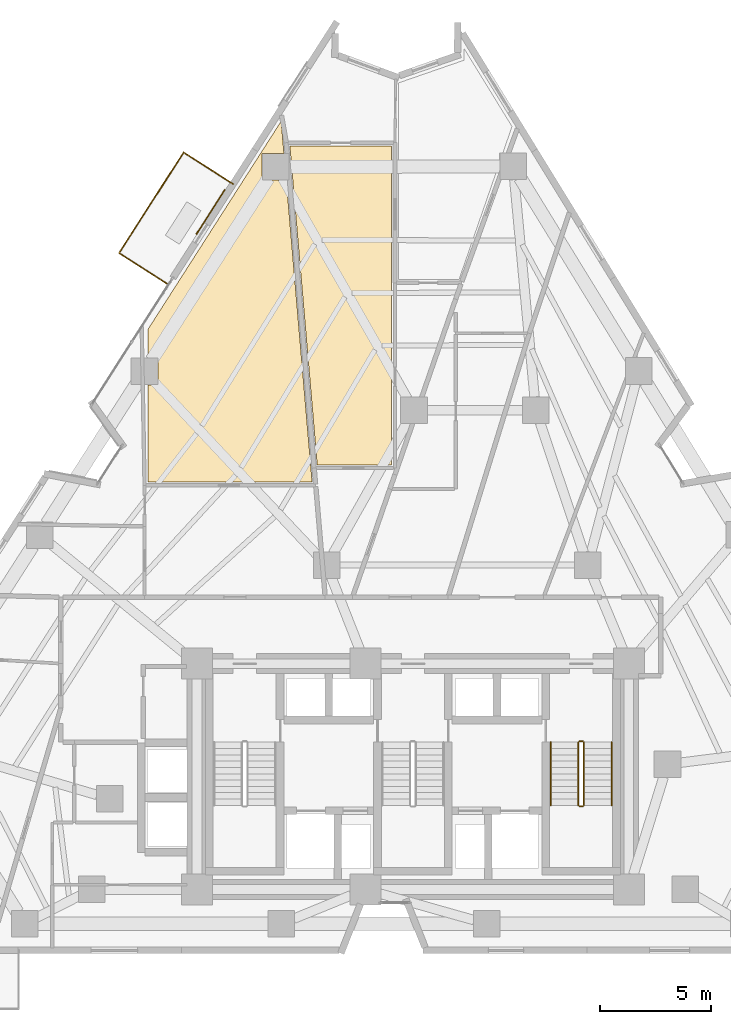
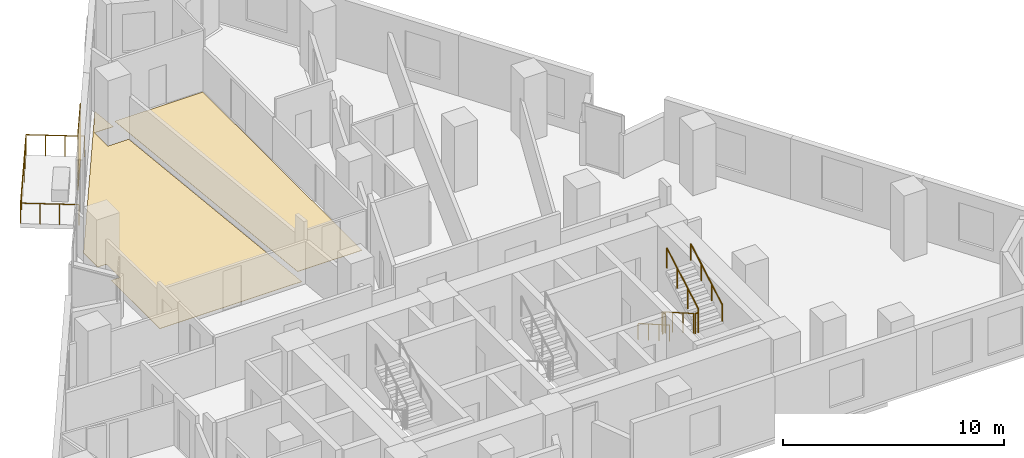
# One storey, part 12 of 13: 7 railings, 3 coverings.
"""IFC4 building model written with IfcOpenShell, lengths in metres."""

import ifcopenshell
import ifcopenshell.guid

model = None  # the IFC model being written
_history = None  # IfcOwnerHistory: only IFC2X3 demands one
_inside = {}  # id of a spatial element -> (the spatial element, [elements in it])
_under = {}  # id of a project, library or spatial element -> (it, [spatial elements below it])
_declared = {}  # id of a project -> (the project, [libraries it declares])
_typed = {}  # id of a type object -> (the type object, [elements of that type])
_made_of = {}  # id of a material, layer set ... -> (it, [elements and type objects made of it])


def new_model(schema):
    """Start an empty IFC model of exactly this schema.

    Asked for "IFC4X3", IfcOpenShell would pick the latest addendum, in which some entities
    have other attributes; the version numbers below select the first issue.
    IFC2X3 requires an IfcOwnerHistory on every rooted entity: one is made here for all.
    """
    global model, _history
    if schema == "IFC4X3":
        model = ifcopenshell.file(schema_version=(4, 3, 0, 0))
    else:
        model = ifcopenshell.file(schema=schema)
    _inside.clear()
    _under.clear()
    _declared.clear()
    _typed.clear()
    _made_of.clear()
    _history = None
    if model.schema == "IFC2X3":
        org = make("IfcOrganization", Name="unknown")
        user = make(
            "IfcPersonAndOrganization",
            ThePerson=make("IfcPerson", FamilyName="unknown"),
            TheOrganization=org,
        )
        app = make(
            "IfcApplication",
            ApplicationDeveloper=org,
            Version="unknown",
            ApplicationFullName="unknown",
            ApplicationIdentifier="unknown",
        )
        _history = make(
            "IfcOwnerHistory",
            OwningUser=user,
            OwningApplication=app,
            ChangeAction="ADDED",
            CreationDate=0,
        )
    return model


def make(cls, **values):
    """One entity of the class cls with the attributes given. An attribute that is None is left unset."""
    return model.create_entity(
        cls, **{name: value for name, value in values.items() if value is not None}
    )


def rooted(cls, **values):
    """An entity with a GlobalId (a new one), such as an element, a storey or a relation."""
    return make(cls, GlobalId=ifcopenshell.guid.new(), OwnerHistory=_history, **values)


def si_unit(unit_type, name, prefix=None):
    """IfcSIUnit, for example si_unit("LENGTHUNIT", "METRE", prefix="MILLI")."""
    return make("IfcSIUnit", UnitType=unit_type, Prefix=prefix, Name=name)


def assignment(units):
    """IfcUnitAssignment: the units of a project."""
    return None if units is None else make("IfcUnitAssignment", Units=units)


def point(xyz):
    """IfcCartesianPoint."""
    return None if xyz is None else make("IfcCartesianPoint", Coordinates=xyz)


def direction(xyz):
    """IfcDirection."""
    return None if xyz is None else make("IfcDirection", DirectionRatios=xyz)


def frame(location, z_axis=None, x_axis=None):
    """IfcAxis2Placement3D, a coordinate frame: its origin and axes. An axis left out is left unset."""
    return make(
        "IfcAxis2Placement3D",
        Location=point(location),
        Axis=direction(z_axis),
        RefDirection=direction(x_axis),
    )


def frame_2d(location, x_axis=None):
    """IfcAxis2Placement2D, a coordinate frame in the plane: its origin and x axis."""
    return make(
        "IfcAxis2Placement2D", Location=point(location), RefDirection=direction(x_axis)
    )


def origin():
    """The frame at (0, 0, 0) with its axes left unset."""
    return frame((0.0, 0.0, 0.0))


def origin_2d():
    """The frame at (0, 0) in the plane with its x axis left unset."""
    return frame_2d((0.0, 0.0))


def place(relative_to, where):
    """IfcLocalPlacement: puts the frame where relative to a parent placement (None: the world)."""
    return make(
        "IfcLocalPlacement", PlacementRelTo=relative_to, RelativePlacement=where
    )


def context(
    kind, dimensions, precision=None, world=None, true_north=None, identifier=None
):
    """IfcGeometricRepresentationContext, for example the 3D "Model" context."""
    return make(
        "IfcGeometricRepresentationContext",
        ContextIdentifier=identifier,
        ContextType=kind,
        CoordinateSpaceDimension=dimensions,
        Precision=precision,
        WorldCoordinateSystem=world,
        TrueNorth=true_north,
    )


def subcontext(parent, identifier, kind, view, scale=None):
    """IfcGeometricRepresentationSubContext, for example "Body" below "Model"."""
    return make(
        "IfcGeometricRepresentationSubContext",
        ContextIdentifier=identifier,
        ContextType=kind,
        ParentContext=parent,
        TargetScale=scale,
        TargetView=view,
    )


def project(units=None, contexts=None):
    """IfcProject with its units and contexts."""
    return rooted(
        "IfcProject",
        Name="project",
        RepresentationContexts=contexts,
        UnitsInContext=assignment(units),
    )


def spatial(cls, under=None, at=None, **own):
    """A site, building, storey or space (cls), placed at a placement, below another one or the project."""
    s = rooted(cls, ObjectPlacement=at, **own)
    if under is not None:
        _under.setdefault(under.id(), (under, []))[1].append(s)
    return s


def polyline(points):
    """IfcPolyline through the points."""
    return make("IfcPolyline", Points=[point(p) for p in points])


def profile(cls, at=None, kind="AREA", **sizes):
    """A parametric profile (cls). Its sizes go by their IFC names, for example OverallWidth=200.0."""
    return make(cls, ProfileType=kind, Position=at, **sizes)


def rectangle(**sizes):
    """IfcRectangleProfileDef."""
    return profile("IfcRectangleProfileDef", **sizes)


def circle(**sizes):
    """IfcCircleProfileDef."""
    return profile("IfcCircleProfileDef", **sizes)


def outline(outer, holes=None, kind="AREA"):
    """IfcArbitraryClosedProfileDef: a profile drawn as a closed curve; with holes, ...WithVoids."""
    if holes is None:
        return make("IfcArbitraryClosedProfileDef", ProfileType=kind, OuterCurve=outer)
    return make(
        "IfcArbitraryProfileDefWithVoids",
        ProfileType=kind,
        OuterCurve=outer,
        InnerCurves=holes,
    )


def extrude(swept, where, along, depth):
    """IfcExtrudedAreaSolid: the profile swept, set in the frame where, extruded along a direction by depth."""
    return make(
        "IfcExtrudedAreaSolid",
        SweptArea=swept,
        Position=where,
        ExtrudedDirection=direction(along),
        Depth=depth,
    )


def shape(context_of_items, identifier, shape_type, items):
    """IfcShapeRepresentation: the items that make up one representation, for example the "Body"."""
    return make(
        "IfcShapeRepresentation",
        ContextOfItems=context_of_items,
        RepresentationIdentifier=identifier,
        RepresentationType=shape_type,
        Items=items,
    )


def material(Name=None, Category=None):
    """IfcMaterial."""
    return make("IfcMaterial", Name=Name, Category=Category)


def layer(
    of_material, thickness, ventilated=None, Name=None, Category=None, Priority=None
):
    """IfcMaterialLayer: one layer of a wall or slab, of a material (None: an air gap)."""
    return make(
        "IfcMaterialLayer",
        Material=of_material,
        LayerThickness=thickness,
        IsVentilated=ventilated,
        Name=Name,
        Category=Category,
        Priority=Priority,
    )


def layer_set(layers, Name=None):
    """IfcMaterialLayerSet."""
    return make("IfcMaterialLayerSet", MaterialLayers=layers, LayerSetName=Name)


def made_of(thing, what):
    """Note that an element or type object is made of a material, layer set ...; save() writes the relation."""
    if what is not None:
        _made_of.setdefault(what.id(), (what, []))[1].append(thing)
    return thing


def type_object(cls, material=None, **own):
    """A type object (cls), such as IfcWallType, which elements share."""
    return made_of(rooted(cls, **own), material)


def element(
    cls,
    number,
    at=None,
    inside=None,
    cuts=None,
    type_object=None,
    material=None,
    context=None,
    identifier="Body",
    shape_type=None,
    held_by="IfcProductDefinitionShape",
    body=None,
    shapes=None,
    **own,
):
    """One element of the class cls, such as IfcWall. Its Tag is "e" and its number.

    at: its placement. inside: the storey or other place that contains it. cuts: it is an
    opening in that element (IfcRelVoidsElement). A single representation is given by context,
    identifier, shape_type and body (its items); several are given by shapes. held_by: the class
    of the entity that holds the representations. save() writes the other relations.
    """
    e = rooted(cls, Tag="e%d" % number, ObjectPlacement=at, **own)
    if body is not None:
        shapes = [shape(context, identifier, shape_type, body)]
    if shapes is not None:
        e.Representation = make(held_by, Representations=shapes)
    if inside is not None:
        _inside.setdefault(inside.id(), (inside, []))[1].append(e)
    if cuts is not None:
        rooted(
            "IfcRelVoidsElement", RelatingBuildingElement=cuts, RelatedOpeningElement=e
        )
    if type_object is not None:
        _typed.setdefault(type_object.id(), (type_object, []))[1].append(e)
    return made_of(e, material)


def aggregate(whole, parts):
    """IfcRelAggregates: a whole, such as a stair, and the parts it consists of."""
    return rooted("IfcRelAggregates", RelatingObject=whole, RelatedObjects=parts)


def save(model, path):
    """Write the relations noted so far, then the file.

    IfcRelAggregates (storeys below a building ...), IfcRelContainedInSpatialStructure (elements
    in a storey), IfcRelDefinesByType, IfcRelAssociatesMaterial and IfcRelDeclares: one each for
    every whole, place, type object, material and project.
    """
    for whole, parts in _under.values():
        aggregate(whole, parts)
    for where, things in _inside.values():
        rooted(
            "IfcRelContainedInSpatialStructure",
            RelatedElements=things,
            RelatingStructure=where,
        )
    for kind, things in _typed.values():
        rooted("IfcRelDefinesByType", RelatedObjects=things, RelatingType=kind)
    for what, things in _made_of.values():
        rooted("IfcRelAssociatesMaterial", RelatedObjects=things, RelatingMaterial=what)
    for by, libraries in _declared.values():
        rooted("IfcRelDeclares", RelatingContext=by, RelatedDefinitions=libraries)
    model.write(path)


model = new_model("IFC4")

# Units and contexts
model_context = context("Model", 3, precision=1e-05, world=origin(), true_north=direction((0.0, 1.0)))
body_context = subcontext(model_context, "Body", "Model", "MODEL_VIEW")
ifc_project = project(units=[si_unit("LENGTHUNIT", "METRE"), si_unit("AREAUNIT", "SQUARE_METRE"), si_unit("VOLUMEUNIT", "CUBIC_METRE"), si_unit("PLANEANGLEUNIT", "RADIAN"), si_unit("MASSUNIT", "GRAM", prefix="KILO")], contexts=[model_context])

# Site, building, storey
site_placement = place(None, origin())
site = spatial("IfcSite", under=ifc_project, at=site_placement, CompositionType="ELEMENT")
building_placement = place(site_placement, origin())
building = spatial("IfcBuilding", under=site, at=building_placement, Name="Almagre Mirador Tower", CompositionType="ELEMENT")
storey_placement = place(building_placement, frame((0.0, 0.0, 89.39990234375)))
storey = spatial("IfcBuildingStorey", under=building, at=storey_placement, Name="L22", CompositionType="ELEMENT", Elevation=89.39990234375)

# Coverings
ifc_material_1 = material(Name="Almagre terracotta architectural cladding", Category="masonry")
ifc_layer_1 = layer(ifc_material_1, 0.044921875)
ifc_layer_set_1 = layer_set([ifc_layer_1], Name="Almagre terracotta architectural cladding")
covering_type_1 = type_object("IfcCoveringType", Name="COV-CLAD-ALMAGRE", PredefinedType="CLADDING", material=ifc_layer_set_1)
covering_1_placement = place(storey_placement, frame((28.164794921875, 35.154052734375, 0.10009765625), z_axis=(0.0, 0.0, 1.0), x_axis=(0.539461671362, 0.84201015738, 0.0)))
element("IfcCovering", 1, at=covering_1_placement, inside=storey, type_object=covering_type_1, Name="L22 almagre terracotta pier cladding", PredefinedType="CLADDING", context=body_context, shape_type="SweptSolid", body=[
    extrude(rectangle(XDim=2.39990234375, YDim=0.044921875, at=origin_2d()), origin(), (0.0, 0.0, 1.0), 3.14990234375),
])
ifc_material_2 = material(Name="Engineered white oak flooring", Category="wood")
ifc_layer_2 = layer(ifc_material_2, 0.01806640625)
ifc_layer_set_2 = layer_set([ifc_layer_2], Name="Engineered white oak flooring")
covering_type_2 = type_object("IfcCoveringType", Name="COV-FLR-OAK-18", PredefinedType="FLOORING", material=ifc_layer_set_2)
covering_2_placement = place(storey_placement, origin())
element("IfcCovering", 2, at=covering_2_placement, inside=storey, type_object=covering_type_2, Name="L22 Unit L22-F Family Salon finish flooring", PredefinedType="FLOORING", context=body_context, shape_type="SweptSolid", body=[
    extrude(outline(polyline([(25.330078125, 22.949951171875), (25.330078125, 27.343994140625), (25.782958984375, 27.343994140625), (25.782958984375, 28.553955078125), (25.330078125, 28.553955078125), (25.330078125, 29.845947265625), (28.916015625, 35.448974609375), (31.347900390625, 39.248046875), (31.47412109375, 37.7939453125), (30.492919921875, 37.7939453125), (30.492919921875, 36.583984375), (31.577880859375, 36.583984375), (31.6708984375, 35.51708984375), (32.7470703125, 22.949951171875), (25.330078125, 22.949951171875)])), origin(), (0.0, 0.0, 1.0), 0.01806640625),
])
covering_3_placement = place(storey_placement, origin())
element("IfcCovering", 3, at=covering_3_placement, inside=storey, type_object=covering_type_2, Name="L22 Unit L22-J Family Living Salon finish flooring", PredefinedType="FLOORING", context=body_context, shape_type="SweptSolid", body=[
    extrude(outline(polyline([(36.340087890625, 38.1298828125), (36.340087890625, 23.72998046875), (32.97802734375, 23.72998046875), (31.742919921875, 38.1298828125), (36.340087890625, 38.1298828125)])), origin(), (0.0, 0.0, 1.0), 0.01806640625),
])

# Railings
ifc_material_3 = material(Name="Black anodized aluminium", Category="aluminium")
railing_type_1 = type_object("IfcRailingType", Name="RLG-BAL-1150", PredefinedType="BALUSTRADE", material=ifc_material_3)
railing_1_placement = place(storey_placement, frame((29.177001953125, 36.4130859375, 0.0)))
element("IfcRailing", 4, at=railing_1_placement, inside=storey, type_object=railing_type_1, Name="L22 west balcony balustrade 2", PredefinedType="BALUSTRADE", context=body_context, shape_type="SweptSolid", body=[
    extrude(circle(Radius=0.02392578125, at=origin_2d()), frame((0.0, 0.0, 1.1259765625), z_axis=(-0.842015379792, 0.539453519957, 0.0), x_axis=(-0.539453519957, -0.842015379792, 0.0)), (0.0, 0.0, 1.0), 2.650634765625),
    extrude(circle(Radius=0.02392578125, at=origin_2d()), frame((-2.23193359375, 1.429931640625, 1.1259765625), z_axis=(-0.539438510145, -0.842024995931, 0.0), x_axis=(0.842024995931, -0.539438510145, 0.0)), (0.0, 0.0, 1.0), 5.400146484375),
    extrude(circle(Radius=0.02392578125, at=origin_2d()), frame((-5.14501953125, -3.1171875, 1.1259765625), z_axis=(0.842075537364, -0.539359610439, 0.0), x_axis=(0.539359610439, 0.842075537364, 0.0)), (0.0, 0.0, 1.0), 2.6494140625),
    extrude(circle(Radius=0.02099609375, at=origin_2d()), origin(), (0.0, 0.0, 1.0), 1.101806640625),
    extrude(circle(Radius=0.02099609375, at=origin_2d()), frame((-0.743896484375, 0.4765625, 0.0)), (0.0, 0.0, 1.0), 1.101806640625),
    extrude(circle(Radius=0.02099609375, at=origin_2d()), frame((-1.488037109375, 0.953369140625, 0.0)), (0.0, 0.0, 1.0), 1.101806640625),
    extrude(circle(Radius=0.02099609375, at=origin_2d()), frame((-2.23193359375, 1.429931640625, 0.0)), (0.0, 0.0, 1.0), 1.101806640625),
    extrude(circle(Radius=0.02099609375, at=origin_2d()), frame((-2.814453125, 0.5205078125, 0.0)), (0.0, 0.0, 1.0), 1.101806640625),
    extrude(circle(Radius=0.02099609375, at=origin_2d()), frame((-3.397216796875, -0.388916015625, 0.0)), (0.0, 0.0, 1.0), 1.101806640625),
    extrude(circle(Radius=0.02099609375, at=origin_2d()), frame((-3.979736328125, -1.29833984375, 0.0)), (0.0, 0.0, 1.0), 1.101806640625),
    extrude(circle(Radius=0.02099609375, at=origin_2d()), frame((-4.5625, -2.207763671875, 0.0)), (0.0, 0.0, 1.0), 1.101806640625),
    extrude(circle(Radius=0.02099609375, at=origin_2d()), frame((-5.14501953125, -3.1171875, 0.0)), (0.0, 0.0, 1.0), 1.101806640625),
    extrude(circle(Radius=0.02099609375, at=origin_2d()), frame((-4.4013671875, -3.593505859375, 0.0)), (0.0, 0.0, 1.0), 1.101806640625),
    extrude(circle(Radius=0.02099609375, at=origin_2d()), frame((-3.65771484375, -4.06982421875, 0.0)), (0.0, 0.0, 1.0), 1.101806640625),
    extrude(circle(Radius=0.02099609375, at=origin_2d()), frame((-2.9140625, -4.546142578125, 0.0)), (0.0, 0.0, 1.0), 1.101806640625),
])
ifc_material_4 = material(Name="Painted galvanized steel", Category="steel")
railing_type_2 = type_object("IfcRailingType", Name="RLG-GRD-1100", PredefinedType="GUARDRAIL", material=ifc_material_4)
railing_2_placement = place(storey_placement, frame((44.77490234375, 11.199951171875, 0.163818359375)))
element("IfcRailing", 5, at=railing_2_placement, inside=storey, type_object=railing_type_2, Name="L22 ST-3 stair guard 1", PredefinedType="GUARDRAIL", context=body_context, shape_type="SweptSolid", body=[
    extrude(circle(Radius=0.02392578125, at=origin_2d()), frame((0.0, 0.0, 1.09619140625), z_axis=(0.0, -0.867226363773, 0.497914082927), x_axis=(1.0, 0.0, 0.0)), (0.0, 0.0, 1.0), 3.2861328125),
    extrude(circle(Radius=0.02099609375, at=origin_2d()), origin(), (0.0, 0.0, 1.0), 1.072021484375),
    extrude(circle(Radius=0.02099609375, at=origin_2d()), frame((0.0, -0.949951171875, 0.54541015625)), (0.0, 0.0, 1.0), 1.072021484375),
    extrude(circle(Radius=0.02099609375, at=origin_2d()), frame((0.0, -1.89990234375, 1.0908203125)), (0.0, 0.0, 1.0), 1.072021484375),
    extrude(circle(Radius=0.02099609375, at=origin_2d()), frame((0.0, -2.849853515625, 1.63623046875)), (0.0, 0.0, 1.0), 1.072021484375),
])
railing_3_placement = place(storey_placement, frame((44.824951171875, 8.300048828125, 1.800048828125)))
element("IfcRailing", 6, at=railing_3_placement, inside=storey, type_object=railing_type_2, Name="L22 ST-3 stair guard 2", PredefinedType="GUARDRAIL", context=body_context, shape_type="SweptSolid", body=[
    extrude(circle(Radius=0.02392578125, at=origin_2d()), frame((0.0, 0.0, 1.09619140625), z_axis=(1.0, 0.0, 0.0), x_axis=(0.0, 1.0, 0.0)), (0.0, 0.0, 1.0), 0.150146484375),
    extrude(circle(Radius=0.02099609375, at=origin_2d()), origin(), (0.0, 0.0, 1.0), 1.072021484375),
    extrude(circle(Radius=0.02099609375, at=origin_2d()), frame((0.150146484375, 0.0, 0.0)), (0.0, 0.0, 1.0), 1.072021484375),
])
railing_4_placement = place(storey_placement, frame((45.02490234375, 8.35009765625, 1.963623046875)))
element("IfcRailing", 7, at=railing_4_placement, inside=storey, type_object=railing_type_2, Name="L22 ST-3 stair guard 3", PredefinedType="GUARDRAIL", context=body_context, shape_type="SweptSolid", body=[
    extrude(circle(Radius=0.02392578125, at=origin_2d()), frame((0.0, 0.0, 1.09619140625), z_axis=(0.0, 0.867194282975, 0.497969954491), x_axis=(-1.0, 0.0, 0.0)), (0.0, 0.0, 1.0), 3.286376953125),
    extrude(circle(Radius=0.02099609375, at=origin_2d()), origin(), (0.0, 0.0, 1.0), 1.072021484375),
    extrude(circle(Radius=0.02099609375, at=origin_2d()), frame((0.0, 0.949951171875, 0.54541015625)), (0.0, 0.0, 1.0), 1.072021484375),
    extrude(circle(Radius=0.02099609375, at=origin_2d()), frame((0.0, 1.89990234375, 1.091064453125)), (0.0, 0.0, 1.0), 1.072021484375),
    extrude(circle(Radius=0.02099609375, at=origin_2d()), frame((0.0, 2.849853515625, 1.636474609375)), (0.0, 0.0, 1.0), 1.072021484375),
])
railing_5_placement = place(storey_placement, frame((44.824951171875, 11.25, 0.0)))
element("IfcRailing", 8, at=railing_5_placement, inside=storey, type_object=railing_type_2, Name="L22 ST-3 stair guard 4", PredefinedType="GUARDRAIL", context=body_context, shape_type="SweptSolid", body=[
    extrude(circle(Radius=0.02392578125, at=origin_2d()), frame((0.0, 0.0, 1.09619140625), z_axis=(1.0, 0.0, 0.0), x_axis=(0.0, 1.0, 0.0)), (0.0, 0.0, 1.0), 0.150146484375),
    extrude(circle(Radius=0.02099609375, at=origin_2d()), origin(), (0.0, 0.0, 1.0), 1.072021484375),
    extrude(circle(Radius=0.02099609375, at=origin_2d()), frame((0.150146484375, 0.0, 0.0)), (0.0, 0.0, 1.0), 1.072021484375),
])
ifc_material_5 = material(Name="Brushed stainless steel", Category="steel")
railing_type_3 = type_object("IfcRailingType", Name="RLG-HND-915", PredefinedType="HANDRAIL", material=ifc_material_5)
railing_6_placement = place(storey_placement, frame((43.52490234375, 11.199951171875, 0.163818359375)))
element("IfcRailing", 9, at=railing_6_placement, inside=storey, type_object=railing_type_3, Name="L22 ST-3 stair handrail 1", PredefinedType="HANDRAIL", context=body_context, shape_type="SweptSolid", body=[
    extrude(circle(Radius=0.02392578125, at=origin_2d()), frame((0.0, 0.0, 0.89111328125), z_axis=(0.0, -0.867226363773, 0.497914082927), x_axis=(1.0, 0.0, 0.0)), (0.0, 0.0, 1.0), 3.2861328125),
    extrude(circle(Radius=0.02099609375, at=origin_2d()), origin(), (0.0, 0.0, 1.0), 0.866943359375),
    extrude(circle(Radius=0.02099609375, at=origin_2d()), frame((0.0, -0.949951171875, 0.54541015625)), (0.0, 0.0, 1.0), 0.866943359375),
    extrude(circle(Radius=0.02099609375, at=origin_2d()), frame((0.0, -1.89990234375, 1.0908203125)), (0.0, 0.0, 1.0), 0.866943359375),
    extrude(circle(Radius=0.02099609375, at=origin_2d()), frame((0.0, -2.849853515625, 1.63623046875)), (0.0, 0.0, 1.0), 0.866943359375),
])
railing_7_placement = place(storey_placement, frame((46.27490234375, 8.35009765625, 1.963623046875)))
element("IfcRailing", 10, at=railing_7_placement, inside=storey, type_object=railing_type_3, Name="L22 ST-3 stair handrail 2", PredefinedType="HANDRAIL", context=body_context, shape_type="SweptSolid", body=[
    extrude(circle(Radius=0.02392578125, at=origin_2d()), frame((0.0, 0.0, 0.89111328125), z_axis=(0.0, 0.867194282975, 0.497969954491), x_axis=(-1.0, 0.0, 0.0)), (0.0, 0.0, 1.0), 3.286376953125),
    extrude(circle(Radius=0.02099609375, at=origin_2d()), origin(), (0.0, 0.0, 1.0), 0.866943359375),
    extrude(circle(Radius=0.02099609375, at=origin_2d()), frame((0.0, 0.949951171875, 0.54541015625)), (0.0, 0.0, 1.0), 0.866943359375),
    extrude(circle(Radius=0.02099609375, at=origin_2d()), frame((0.0, 1.89990234375, 1.091064453125)), (0.0, 0.0, 1.0), 0.866943359375),
    extrude(circle(Radius=0.02099609375, at=origin_2d()), frame((0.0, 2.849853515625, 1.636474609375)), (0.0, 0.0, 1.0), 0.866943359375),
])

save(model, "model.ifc")
